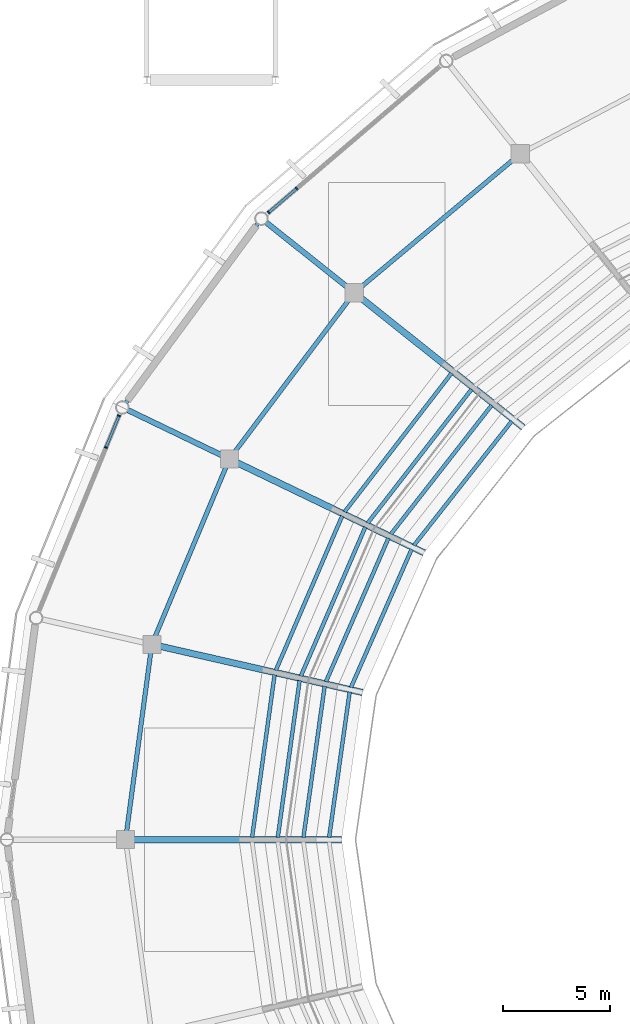
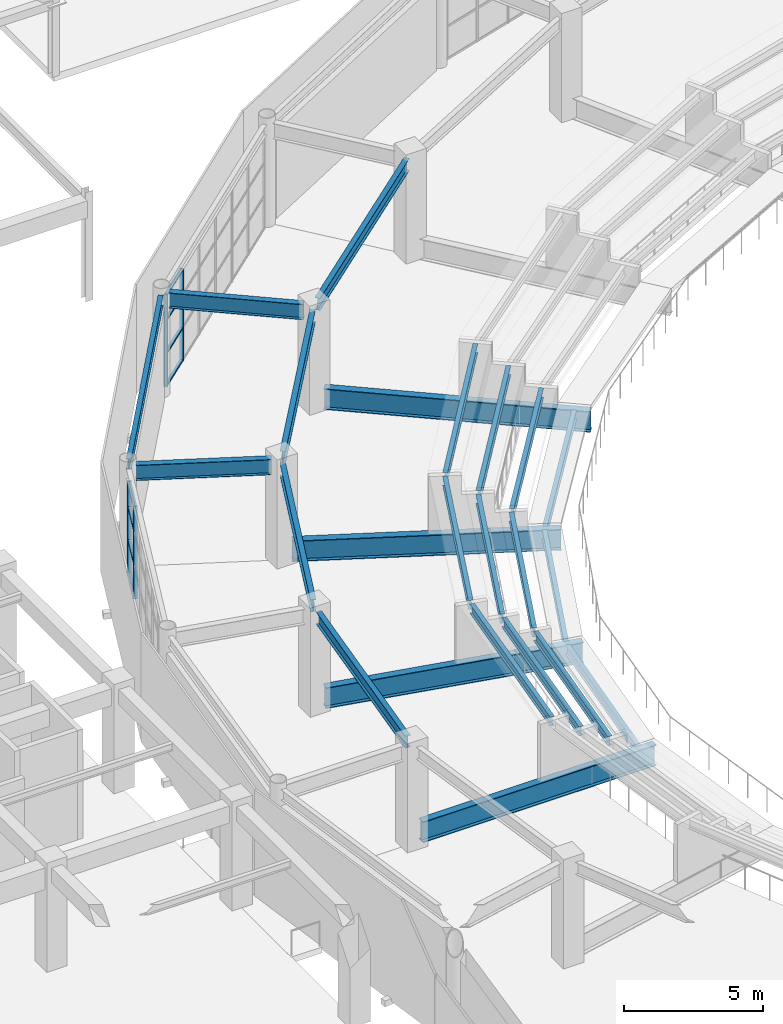
# One storey, part 45 of 122: 23 beams, 12 members, 2 elements without a shape of their own.
"""IFC4 building model written with IfcOpenShell, lengths in metres."""

from ifc_helpers import new_model, si_unit, direction, frame, origin, origin_2d, place, context, subcontext, project, spatial, rectangle, i_section, extrude, material, material_profile, profile_set, type_object, element, aggregate, save


model = new_model("IFC4")

# Units and contexts
model_context = context("Model", 3, precision=1e-05, world=origin(), true_north=direction((0.0, 1.0)))
body_context = subcontext(model_context, "Body", "Model", "MODEL_VIEW")
ifc_project = project(units=[si_unit("LENGTHUNIT", "METRE"), si_unit("AREAUNIT", "SQUARE_METRE"), si_unit("VOLUMEUNIT", "CUBIC_METRE"), si_unit("PLANEANGLEUNIT", "RADIAN"), si_unit("MASSUNIT", "GRAM", prefix="KILO")], contexts=[model_context])

# Site, building, storey
site_placement = place(None, origin())
site = spatial("IfcSite", under=ifc_project, at=site_placement, CompositionType="ELEMENT")
building_placement = place(site_placement, origin())
building = spatial("IfcBuilding", under=site, at=building_placement, Name="Cuetzalor Civic Arena", CompositionType="ELEMENT")
storey_placement = place(building_placement, frame((0.0, 0.0, 16.199951171875)))
storey = spatial("IfcBuildingStorey", under=building, at=storey_placement, Name="L03", CompositionType="ELEMENT", Elevation=16.199951171875)

# Curtain wall, members
ifc_material_1 = material(Name="Anodised dark bronze aluminium and low-E solar glass", Category="aluminium")
curtain_wall_type_1 = type_object("IfcCurtainWallType", Name="UnitisedCW_10550x4050", PredefinedType="USERDEFINED", material=ifc_material_1)
curtain_wall_1_placement = place(storey_placement, origin())
curtain_wall_1 = element("IfcCurtainWall", 1, at=curtain_wall_1_placement, inside=storey, type_object=curtain_wall_type_1, Name="Drum Triangle Foyer Curtain Wall L03-049", ObjectType="UNITISED CURTAIN WALL", PredefinedType="USERDEFINED")
ifc_material_2 = material(Name="Anodised dark bronze aluminium", Category="aluminium")
ifc_material_profile_1 = material_profile(ifc_material_2, rectangle(XDim=0.06494140625, YDim=0.14990234375, at=origin_2d()), Name="ALU MULLION 65x150")
ifc_profile_set_1 = profile_set([ifc_material_profile_1], Name="Anodised dark bronze aluminium")
member_type_1 = type_object("IfcMemberType", Name="CurtainWallMullion_60x150", PredefinedType="MULLION", material=ifc_profile_set_1)
member_1_placement = place(storey_placement, frame((-42.310791015625, 29.31201171875, 0.0), z_axis=(0.0, 0.0, 1.0), x_axis=(0.760677142663, 0.64913040649, 0.0)))
member_1 = element("IfcMember", 2, at=member_1_placement, type_object=member_type_1, Name="CW-16 mullion 1", PredefinedType="MULLION", context=body_context, shape_type="SweptSolid", body=[
    extrude(rectangle(XDim=0.06494140625, YDim=0.14990234375, at=origin_2d()), origin(), (0.0, 0.0, 1.0), 4.052978515625),
])
member_2_placement = place(storey_placement, frame((-41.00048828125, 30.43017578125, 0.0), z_axis=(0.0, 0.0, 1.0), x_axis=(0.760677142663, 0.64913040649, 0.0)))
member_2 = element("IfcMember", 3, at=member_2_placement, type_object=member_type_1, Name="CW-16 mullion 2", PredefinedType="MULLION", context=body_context, shape_type="SweptSolid", body=[
    extrude(rectangle(XDim=0.06494140625, YDim=0.14990234375, at=origin_2d()), origin(), (0.0, 0.0, 1.0), 4.052978515625),
])

ifc_material_3 = material(Name="Anodised dark bronze aluminium and low-E solar glass", Category="aluminium")
curtain_wall_type_2 = type_object("IfcCurtainWallType", Name="UnitisedCW_9850x4050", PredefinedType="USERDEFINED", material=ifc_material_3)
curtain_wall_2_placement = place(storey_placement, origin())
curtain_wall_2 = element("IfcCurtainWall", 4, at=curtain_wall_2_placement, inside=storey, type_object=curtain_wall_type_2, Name="Drum Triangle Foyer Curtain Wall L03-050", ObjectType="UNITISED CURTAIN WALL", PredefinedType="USERDEFINED")
member_3_placement = place(storey_placement, frame((-49.916259765625, 18.3232421875, 0.0), z_axis=(0.0, 0.0, 1.0), x_axis=(0.379391428583, 0.925236263836, 0.0)))
member_3 = element("IfcMember", 5, at=member_3_placement, type_object=member_type_1, Name="CW-17 mullion 6", PredefinedType="MULLION", context=body_context, shape_type="SweptSolid", body=[
    extrude(rectangle(XDim=0.06494140625, YDim=0.14990234375, at=origin_2d()), origin(), (0.0, 0.0, 1.0), 4.052978515625),
])
member_4_placement = place(storey_placement, frame((-49.304443359375, 19.815673828125, 0.0), z_axis=(0.0, 0.0, 1.0), x_axis=(0.379391428583, 0.925236263836, 0.0)))
member_4 = element("IfcMember", 6, at=member_4_placement, type_object=member_type_1, Name="CW-17 mullion 7", PredefinedType="MULLION", context=body_context, shape_type="SweptSolid", body=[
    extrude(rectangle(XDim=0.06494140625, YDim=0.14990234375, at=origin_2d()), origin(), (0.0, 0.0, 1.0), 4.052978515625),
])

# Member
ifc_material_4 = material(Name="Anodised dark bronze aluminium", Category="aluminium")
ifc_material_profile_2 = material_profile(ifc_material_4, rectangle(XDim=0.1201171875, YDim=0.06494140625, at=origin_2d()), Name="ALU TRANSOM 65x120")
ifc_profile_set_2 = profile_set([ifc_material_profile_2], Name="Anodised dark bronze aluminium")
member_type_2 = type_object("IfcMemberType", Name="CurtainWallTransom_60x120", PredefinedType="USERDEFINED", material=ifc_profile_set_2)
member_5_placement = place(storey_placement, frame((-42.2861328125, 29.3330078125, 0.032470703125), z_axis=(0.760647860906, 0.649164718465, 0.0), x_axis=(-0.649164718465, 0.760647860906, 0.0)))
member_5 = element("IfcMember", 7, at=member_5_placement, type_object=member_type_2, Name="CW-16 transom 1.1", ObjectType="TRANSOM", PredefinedType="USERDEFINED", context=body_context, shape_type="SweptSolid", body=[
    extrude(rectangle(XDim=0.1201171875, YDim=0.06494140625, at=origin_2d()), origin(), (0.0, 0.0, 1.0), 1.65771484375),
])

member_6_placement = place(storey_placement, frame((-42.2861328125, 29.3330078125, 1.458984375), z_axis=(0.760647860906, 0.649164718465, 0.0), x_axis=(-0.649164718465, 0.760647860906, 0.0)))
member_6 = element("IfcMember", 8, at=member_6_placement, type_object=member_type_2, Name="CW-16 transom 1.2", ObjectType="TRANSOM", PredefinedType="USERDEFINED", context=body_context, shape_type="SweptSolid", body=[
    extrude(rectangle(XDim=0.1201171875, YDim=0.06494140625, at=origin_2d()), origin(), (0.0, 0.0, 1.0), 1.65771484375),
])

member_7_placement = place(storey_placement, frame((-42.2861328125, 29.3330078125, 2.91796875), z_axis=(0.760647860906, 0.649164718465, 0.0), x_axis=(-0.649164718465, 0.760647860906, 0.0)))
member_7 = element("IfcMember", 9, at=member_7_placement, type_object=member_type_2, Name="CW-16 transom 1.3", ObjectType="TRANSOM", PredefinedType="USERDEFINED", context=body_context, shape_type="SweptSolid", body=[
    extrude(rectangle(XDim=0.1201171875, YDim=0.06494140625, at=origin_2d()), origin(), (0.0, 0.0, 1.0), 1.65771484375),
])

member_8_placement = place(storey_placement, frame((-42.2861328125, 29.3330078125, 4.0205078125), z_axis=(0.760647860906, 0.649164718465, 0.0), x_axis=(-0.649164718465, 0.760647860906, 0.0)))
member_8 = element("IfcMember", 10, at=member_8_placement, type_object=member_type_2, Name="CW-16 transom 1.4", ObjectType="TRANSOM", PredefinedType="USERDEFINED", context=body_context, shape_type="SweptSolid", body=[
    extrude(rectangle(XDim=0.1201171875, YDim=0.06494140625, at=origin_2d()), origin(), (0.0, 0.0, 1.0), 1.65771484375),
])

aggregate(curtain_wall_1, [member_1, member_2, member_5, member_6, member_7, member_8])

member_9_placement = place(storey_placement, frame((-49.904052734375, 18.353271484375, 0.032470703125), z_axis=(0.379424832692, 0.925222565838, 0.0), x_axis=(-0.925222565838, 0.379424832692, 0.0)))
member_9 = element("IfcMember", 11, at=member_9_placement, type_object=member_type_2, Name="CW-17 transom 6.1", ObjectType="TRANSOM", PredefinedType="USERDEFINED", context=body_context, shape_type="SweptSolid", body=[
    extrude(rectangle(XDim=0.1201171875, YDim=0.06494140625, at=origin_2d()), origin(), (0.0, 0.0, 1.0), 1.548095703125),
])

member_10_placement = place(storey_placement, frame((-49.904052734375, 18.353271484375, 1.458984375), z_axis=(0.379424832692, 0.925222565838, 0.0), x_axis=(-0.925222565838, 0.379424832692, 0.0)))
member_10 = element("IfcMember", 12, at=member_10_placement, type_object=member_type_2, Name="CW-17 transom 6.2", ObjectType="TRANSOM", PredefinedType="USERDEFINED", context=body_context, shape_type="SweptSolid", body=[
    extrude(rectangle(XDim=0.1201171875, YDim=0.06494140625, at=origin_2d()), origin(), (0.0, 0.0, 1.0), 1.548095703125),
])

member_11_placement = place(storey_placement, frame((-49.904052734375, 18.353271484375, 2.91796875), z_axis=(0.379424832692, 0.925222565838, 0.0), x_axis=(-0.925222565838, 0.379424832692, 0.0)))
member_11 = element("IfcMember", 13, at=member_11_placement, type_object=member_type_2, Name="CW-17 transom 6.3", ObjectType="TRANSOM", PredefinedType="USERDEFINED", context=body_context, shape_type="SweptSolid", body=[
    extrude(rectangle(XDim=0.1201171875, YDim=0.06494140625, at=origin_2d()), origin(), (0.0, 0.0, 1.0), 1.548095703125),
])

member_12_placement = place(storey_placement, frame((-49.904052734375, 18.353271484375, 4.0205078125), z_axis=(0.379424832692, 0.925222565838, 0.0), x_axis=(-0.925222565838, 0.379424832692, 0.0)))
member_12 = element("IfcMember", 14, at=member_12_placement, type_object=member_type_2, Name="CW-17 transom 6.4", ObjectType="TRANSOM", PredefinedType="USERDEFINED", context=body_context, shape_type="SweptSolid", body=[
    extrude(rectangle(XDim=0.1201171875, YDim=0.06494140625, at=origin_2d()), origin(), (0.0, 0.0, 1.0), 1.548095703125),
])

aggregate(curtain_wall_2, [member_3, member_4, member_9, member_10, member_11, member_12])

# Beams
ifc_material_5 = material(Name="Steel S355", Category="steel")
ifc_material_profile_3 = material_profile(ifc_material_5, i_section(OverallWidth=0.18994140625, OverallDepth=0.45703125, WebThickness=0.009033203125, FlangeThickness=0.014404296875, at=origin_2d()), Name="W460x74")
ifc_profile_set_3 = profile_set([ifc_material_profile_3], Name="Steel S355")
beam_type_1 = type_object("IfcBeamType", Name="FacadeSpandrelBeam_W460", PredefinedType="SPANDREL", material=ifc_profile_set_3)
beam_1_placement = place(storey_placement, frame((-42.82080078125, 28.7900390625, 4.29150390625), z_axis=(-0.592928645702, -0.805255003776, 0.0), x_axis=(0.805255003776, -0.592928645702, 0.0)))
element("IfcBeam", 15, at=beam_1_placement, inside=storey, type_object=beam_type_1, Name="Drum Perimeter Spandrel L03-S12", PredefinedType="SPANDREL", context=body_context, shape_type="SweptSolid", body=[
    extrude(i_section(OverallWidth=0.18994140625, OverallDepth=0.45703125, WebThickness=0.009033203125, FlangeThickness=0.014404296875, at=origin_2d()), origin(), (0.0, 0.0, 1.0), 10.380615234375),
])
ifc_material_6 = material(Name="Steel S355", Category="steel")
ifc_material_profile_4 = material_profile(ifc_material_6, i_section(OverallWidth=0.208984375, OverallDepth=0.532958984375, WebThickness=0.01025390625, FlangeThickness=0.015625, at=origin_2d()), Name="W530x92")
ifc_profile_set_4 = profile_set([ifc_material_profile_4], Name="Steel S355")
beam_type_2 = type_object("IfcBeamType", Name="SteelCollarGirder_W530", PredefinedType="BEAM", material=ifc_profile_set_4)
beam_2_placement = place(storey_placement, frame((-30.834716796875, 31.817626953125, 4.253662109375), z_axis=(-0.766937066427, -0.641722320121, 0.0), x_axis=(0.641722320121, -0.766937066427, 0.0)))
element("IfcBeam", 16, at=beam_2_placement, inside=storey, type_object=beam_type_2, Name="Drum Concourse Ring Girder L03-S11", PredefinedType="BEAM", context=body_context, shape_type="SweptSolid", body=[
    extrude(i_section(OverallWidth=0.208984375, OverallDepth=0.532958984375, WebThickness=0.01025390625, FlangeThickness=0.015625, at=origin_2d()), origin(), (0.0, 0.0, 1.0), 9.37646484375),
])
beam_3_placement = place(storey_placement, frame((-38.531982421875, 25.26708984375, 4.253662109375), z_axis=(-0.600491348624, -0.799631252658, 0.0), x_axis=(0.799631252658, -0.600491348624, 0.0)))
element("IfcBeam", 17, at=beam_3_placement, inside=storey, type_object=beam_type_2, Name="Drum Concourse Ring Girder L03-S12", PredefinedType="BEAM", context=body_context, shape_type="SweptSolid", body=[
    extrude(i_section(OverallWidth=0.208984375, OverallDepth=0.532958984375, WebThickness=0.01025390625, FlangeThickness=0.015625, at=origin_2d()), origin(), (0.0, 0.0, 1.0), 8.9814453125),
])
beam_4_placement = place(storey_placement, frame((-44.290283203125, 17.44775390625, 4.253662109375), z_axis=(-0.385813116722, -0.922576955579, 0.0), x_axis=(0.922576955579, -0.385813116722, 0.0)))
element("IfcBeam", 18, at=beam_4_placement, inside=storey, type_object=beam_type_2, Name="Drum Concourse Ring Girder L03-S13", PredefinedType="BEAM", context=body_context, shape_type="SweptSolid", body=[
    extrude(i_section(OverallWidth=0.208984375, OverallDepth=0.532958984375, WebThickness=0.01025390625, FlangeThickness=0.015625, at=origin_2d()), origin(), (0.0, 0.0, 1.0), 8.65283203125),
])
beam_5_placement = place(storey_placement, frame((-47.82080078125, 8.756591796875, 4.253662109375), z_axis=(-0.13346702922, -0.991053253923, 0.0), x_axis=(0.991053253923, -0.13346702922, 0.0)))
element("IfcBeam", 19, at=beam_5_placement, inside=storey, type_object=beam_type_2, Name="Drum Concourse Ring Girder L03-S14", PredefinedType="BEAM", context=body_context, shape_type="SweptSolid", body=[
    extrude(i_section(OverallWidth=0.208984375, OverallDepth=0.532958984375, WebThickness=0.01025390625, FlangeThickness=0.015625, at=origin_2d()), origin(), (0.0, 0.0, 1.0), 8.465576171875),
])
ifc_material_7 = material(Name="Steel S355", Category="steel")
ifc_material_profile_5 = material_profile(ifc_material_7, i_section(OverallWidth=0.2529296875, OverallDepth=0.677978515625, WebThickness=0.01171875, FlangeThickness=0.016357421875, at=origin_2d()), Name="W690x125")
ifc_profile_set_5 = profile_set([ifc_material_profile_5], Name="Steel S355")
beam_type_3 = type_object("IfcBeamType", Name="SteelPrimaryGirder_W690", PredefinedType="BEAM", material=ifc_profile_set_5)
beam_6_placement = place(storey_placement, frame((-38.59130859375, 25.78759765625, 4.18115234375), z_axis=(-0.781810957258, 0.623515538789, 0.0), x_axis=(-0.623515538789, -0.781810957258, 0.0)))
element("IfcBeam", 20, at=beam_6_placement, inside=storey, type_object=beam_type_3, Name="Drum Radial Girder L03-R12", PredefinedType="BEAM", context=body_context, shape_type="SweptSolid", body=[
    extrude(i_section(OverallWidth=0.2529296875, OverallDepth=0.677978515625, WebThickness=0.01171875, FlangeThickness=0.016357421875, at=origin_2d()), origin(), (0.0, 0.0, 1.0), 4.89990234375),
])
beam_7_placement = place(storey_placement, frame((-44.4716796875, 17.9453125, 4.18115234375), z_axis=(-0.900964883231, 0.433892013275, 0.0), x_axis=(-0.433892013275, -0.900964883231, 0.0)))
element("IfcBeam", 21, at=beam_7_placement, inside=storey, type_object=beam_type_3, Name="Drum Radial Girder L03-R13", PredefinedType="BEAM", context=body_context, shape_type="SweptSolid", body=[
    extrude(i_section(OverallWidth=0.2529296875, OverallDepth=0.677978515625, WebThickness=0.01171875, FlangeThickness=0.016357421875, at=origin_2d()), origin(), (0.0, 0.0, 1.0), 4.900390625),
])
ifc_material_8 = material(Name="Steel S355", Category="steel")
ifc_material_profile_6 = material_profile(ifc_material_8, i_section(OverallWidth=0.177978515625, OverallDepth=0.406982421875, WebThickness=0.0078125, FlangeThickness=0.0126953125, at=origin_2d()), Name="W410x60")
ifc_profile_set_6 = profile_set([ifc_material_profile_6], Name="Steel S355")
beam_type_4 = type_object("IfcBeamType", Name="SteelSecondaryBeam_W410", PredefinedType="BEAM", material=ifc_profile_set_6)
beam_8_placement = place(storey_placement, frame((-30.94921875, 19.55517578125, 0.70751953125), z_axis=(-0.618890762306, -0.785477067986, 0.0), x_axis=(0.785477067986, -0.618890762306, 0.0)))
element("IfcBeam", 22, at=beam_8_placement, inside=storey, type_object=beam_type_4, Name="Upper Bowl Tier Carrier Beam S12-R1", PredefinedType="BEAM", context=body_context, shape_type="SweptSolid", body=[
    extrude(i_section(OverallWidth=0.177978515625, OverallDepth=0.406982421875, WebThickness=0.0078125, FlangeThickness=0.0126953125, at=origin_2d()), origin(), (0.0, 0.0, 1.0), 7.387939453125),
])
beam_9_placement = place(storey_placement, frame((-31.886962890625, 20.302978515625, 1.551513671875), z_axis=(-0.61605368018, -0.787704172349, 0.0), x_axis=(0.787704172349, -0.61605368018, 0.0)))
element("IfcBeam", 23, at=beam_9_placement, inside=storey, type_object=beam_type_4, Name="Upper Bowl Tier Carrier Beam S12-R2", PredefinedType="BEAM", context=body_context, shape_type="SweptSolid", body=[
    extrude(i_section(OverallWidth=0.177978515625, OverallDepth=0.406982421875, WebThickness=0.0078125, FlangeThickness=0.0126953125, at=origin_2d()), origin(), (0.0, 0.0, 1.0), 7.65478515625),
])
beam_10_placement = place(storey_placement, frame((-32.824951171875, 21.051025390625, 2.401611328125), z_axis=(-0.613370823241, -0.789795057719, 0.0), x_axis=(0.789795057719, -0.613370823241, 0.0)))
element("IfcBeam", 24, at=beam_10_placement, inside=storey, type_object=beam_type_4, Name="Upper Bowl Tier Carrier Beam S12-R3", PredefinedType="BEAM", context=body_context, shape_type="SweptSolid", body=[
    extrude(i_section(OverallWidth=0.177978515625, OverallDepth=0.406982421875, WebThickness=0.0078125, FlangeThickness=0.0126953125, at=origin_2d()), origin(), (0.0, 0.0, 1.0), 7.92236328125),
])
beam_11_placement = place(storey_placement, frame((-33.762939453125, 21.799072265625, 3.25146484375), z_axis=(-0.610856847656, -0.791741063525, 0.0), x_axis=(0.791741063525, -0.610856847656, 0.0)))
element("IfcBeam", 25, at=beam_11_placement, inside=storey, type_object=beam_type_4, Name="Upper Bowl Tier Carrier Beam S12-R4", PredefinedType="BEAM", context=body_context, shape_type="SweptSolid", body=[
    extrude(i_section(OverallWidth=0.177978515625, OverallDepth=0.406982421875, WebThickness=0.0078125, FlangeThickness=0.0126953125, at=origin_2d()), origin(), (0.0, 0.0, 1.0), 8.18994140625),
])
beam_12_placement = place(storey_placement, frame((-35.631591796875, 13.568359375, 0.70751953125), z_axis=(-0.401827995853, -0.915715164092, 0.0), x_axis=(0.915715164092, -0.401827995853, 0.0)))
element("IfcBeam", 26, at=beam_12_placement, inside=storey, type_object=beam_type_4, Name="Upper Bowl Tier Carrier Beam S13-R1", PredefinedType="BEAM", context=body_context, shape_type="SweptSolid", body=[
    extrude(i_section(OverallWidth=0.177978515625, OverallDepth=0.406982421875, WebThickness=0.0078125, FlangeThickness=0.0126953125, at=origin_2d()), origin(), (0.0, 0.0, 1.0), 7.054443359375),
])
beam_13_placement = place(storey_placement, frame((-36.71240234375, 14.089111328125, 1.551513671875), z_axis=(-0.399312420553, -0.916814916323, 0.0), x_axis=(0.916814916323, -0.399312420553, 0.0)))
element("IfcBeam", 27, at=beam_13_placement, inside=storey, type_object=beam_type_4, Name="Upper Bowl Tier Carrier Beam S13-R2", PredefinedType="BEAM", context=body_context, shape_type="SweptSolid", body=[
    extrude(i_section(OverallWidth=0.177978515625, OverallDepth=0.406982421875, WebThickness=0.0078125, FlangeThickness=0.0126953125, at=origin_2d()), origin(), (0.0, 0.0, 1.0), 7.32275390625),
])
beam_14_placement = place(storey_placement, frame((-37.79345703125, 14.609619140625, 2.401611328125), z_axis=(-0.396956554552, -0.917837400523, 0.0), x_axis=(0.917837400523, -0.396956554552, 0.0)))
element("IfcBeam", 28, at=beam_14_placement, inside=storey, type_object=beam_type_4, Name="Upper Bowl Tier Carrier Beam S13-R3", PredefinedType="BEAM", context=body_context, shape_type="SweptSolid", body=[
    extrude(i_section(OverallWidth=0.177978515625, OverallDepth=0.406982421875, WebThickness=0.0078125, FlangeThickness=0.0126953125, at=origin_2d()), origin(), (0.0, 0.0, 1.0), 7.5908203125),
])
beam_15_placement = place(storey_placement, frame((-38.87451171875, 15.130126953125, 3.25146484375), z_axis=(-0.394758994464, -0.918784706169, 0.0), x_axis=(0.918784706169, -0.394758994464, 0.0)))
element("IfcBeam", 29, at=beam_15_placement, inside=storey, type_object=beam_type_4, Name="Upper Bowl Tier Carrier Beam S13-R4", PredefinedType="BEAM", context=body_context, shape_type="SweptSolid", body=[
    extrude(i_section(OverallWidth=0.177978515625, OverallDepth=0.406982421875, WebThickness=0.0078125, FlangeThickness=0.0126953125, at=origin_2d()), origin(), (0.0, 0.0, 1.0), 7.858642578125),
])
beam_16_placement = place(storey_placement, frame((-38.52490234375, 6.902587890625, 0.70751953125), z_axis=(-0.139872342407, -0.990169544992, 0.0), x_axis=(0.990169544992, -0.139872342407, 0.0)))
element("IfcBeam", 30, at=beam_16_placement, inside=storey, type_object=beam_type_4, Name="Upper Bowl Tier Carrier Beam S14-R1", PredefinedType="BEAM", context=body_context, shape_type="SweptSolid", body=[
    extrude(i_section(OverallWidth=0.177978515625, OverallDepth=0.406982421875, WebThickness=0.0078125, FlangeThickness=0.0126953125, at=origin_2d()), origin(), (0.0, 0.0, 1.0), 6.863037109375),
])
beam_17_placement = place(storey_placement, frame((-39.694580078125, 7.16943359375, 1.551513671875), z_axis=(-0.138885554946, -0.990308438128, 0.0), x_axis=(0.990308438128, -0.138885554946, 0.0)))
element("IfcBeam", 31, at=beam_17_placement, inside=storey, type_object=beam_type_4, Name="Upper Bowl Tier Carrier Beam S14-R2", PredefinedType="BEAM", context=body_context, shape_type="SweptSolid", body=[
    extrude(i_section(OverallWidth=0.177978515625, OverallDepth=0.406982421875, WebThickness=0.0078125, FlangeThickness=0.0126953125, at=origin_2d()), origin(), (0.0, 0.0, 1.0), 7.131591796875),
])
beam_18_placement = place(storey_placement, frame((-40.864501953125, 7.4365234375, 2.401611328125), z_axis=(-0.137901017398, -0.990446015389, 0.0), x_axis=(0.990446015389, -0.137901017398, 0.0)))
element("IfcBeam", 32, at=beam_18_placement, inside=storey, type_object=beam_type_4, Name="Upper Bowl Tier Carrier Beam S14-R3", PredefinedType="BEAM", context=body_context, shape_type="SweptSolid", body=[
    extrude(i_section(OverallWidth=0.177978515625, OverallDepth=0.406982421875, WebThickness=0.0078125, FlangeThickness=0.0126953125, at=origin_2d()), origin(), (0.0, 0.0, 1.0), 7.400390625),
])
beam_19_placement = place(storey_placement, frame((-42.0341796875, 7.70361328125, 3.25146484375), z_axis=(-0.13704781732, -0.990564432921, 0.0), x_axis=(0.990564432921, -0.13704781732, 0.0)))
element("IfcBeam", 33, at=beam_19_placement, inside=storey, type_object=beam_type_4, Name="Upper Bowl Tier Carrier Beam S14-R4", PredefinedType="BEAM", context=body_context, shape_type="SweptSolid", body=[
    extrude(i_section(OverallWidth=0.177978515625, OverallDepth=0.406982421875, WebThickness=0.0078125, FlangeThickness=0.0126953125, at=origin_2d()), origin(), (0.0, 0.0, 1.0), 7.6689453125),
])
ifc_material_9 = material(Name="Steel S355", Category="steel")
ifc_material_profile_7 = material_profile(ifc_material_9, i_section(OverallWidth=0.303955078125, OverallDepth=0.910888671875, WebThickness=0.015869140625, FlangeThickness=0.02392578125, at=origin_2d()), Name="W920x223")
ifc_profile_set_7 = profile_set([ifc_material_profile_7], Name="Steel S355")
beam_type_5 = type_object("IfcBeamType", Name="UpperBowlRakerBeam_W840", PredefinedType="USERDEFINED", material=ifc_profile_set_7)
for number, where, z_axis, x_axis, name in (
    (34, (-30.4130859375, 19.265869140625, 0.45556640625), (-0.781840685283, 0.623478261719, 0.0), (-0.623478261719, -0.781840685283, 0.0), "Upper Bowl Raker Beam R12"),
    (35, (-35.047607421875, 13.406982421875, 0.45556640625), (-0.900974397219, 0.433872257187, 0.0), (-0.433872257187, -0.900974397219, 0.0), "Upper Bowl Raker Beam R13"),
):
    element("IfcBeam", number, at=place(storey_placement, frame(where, z_axis=z_axis, x_axis=x_axis)), inside=storey, type_object=beam_type_5, Name=name, ObjectType="RAKER", PredefinedType="USERDEFINED", context=body_context, shape_type="SweptSolid", body=[
        extrude(i_section(OverallWidth=0.303955078125, OverallDepth=0.910888671875, WebThickness=0.015869140625, FlangeThickness=0.02392578125, at=origin_2d()), origin(), (0.0, 0.0, 1.0), 9.72021484375),
    ])
beam_20_placement = place(storey_placement, frame((-37.9248046875, 6.8759765625, 0.45556640625), z_axis=(-0.974928142216, 0.222519926106, 0.0), x_axis=(-0.222519926106, -0.974928142216, 0.0)))
element("IfcBeam", 36, at=beam_20_placement, inside=storey, type_object=beam_type_5, Name="Upper Bowl Raker Beam R14", ObjectType="RAKER", PredefinedType="USERDEFINED", context=body_context, shape_type="SweptSolid", body=[
    extrude(i_section(OverallWidth=0.303955078125, OverallDepth=0.910888671875, WebThickness=0.015869140625, FlangeThickness=0.02392578125, at=origin_2d()), origin(), (0.0, 0.0, 1.0), 9.7197265625),
])
beam_21_placement = place(storey_placement, frame((-38.89990234375, 0.0, 0.45556640625), z_axis=(-1.0, 0.0, 0.0), x_axis=(0.0, -1.0, 0.0)))
element("IfcBeam", 37, at=beam_21_placement, inside=storey, type_object=beam_type_5, Name="Upper Bowl Raker Beam R15", ObjectType="RAKER", PredefinedType="USERDEFINED", context=body_context, shape_type="SweptSolid", body=[
    extrude(i_section(OverallWidth=0.303955078125, OverallDepth=0.910888671875, WebThickness=0.015869140625, FlangeThickness=0.02392578125, at=origin_2d()), origin(), (0.0, 0.0, 1.0), 9.72021484375),
])

save(model, "model.ifc")
